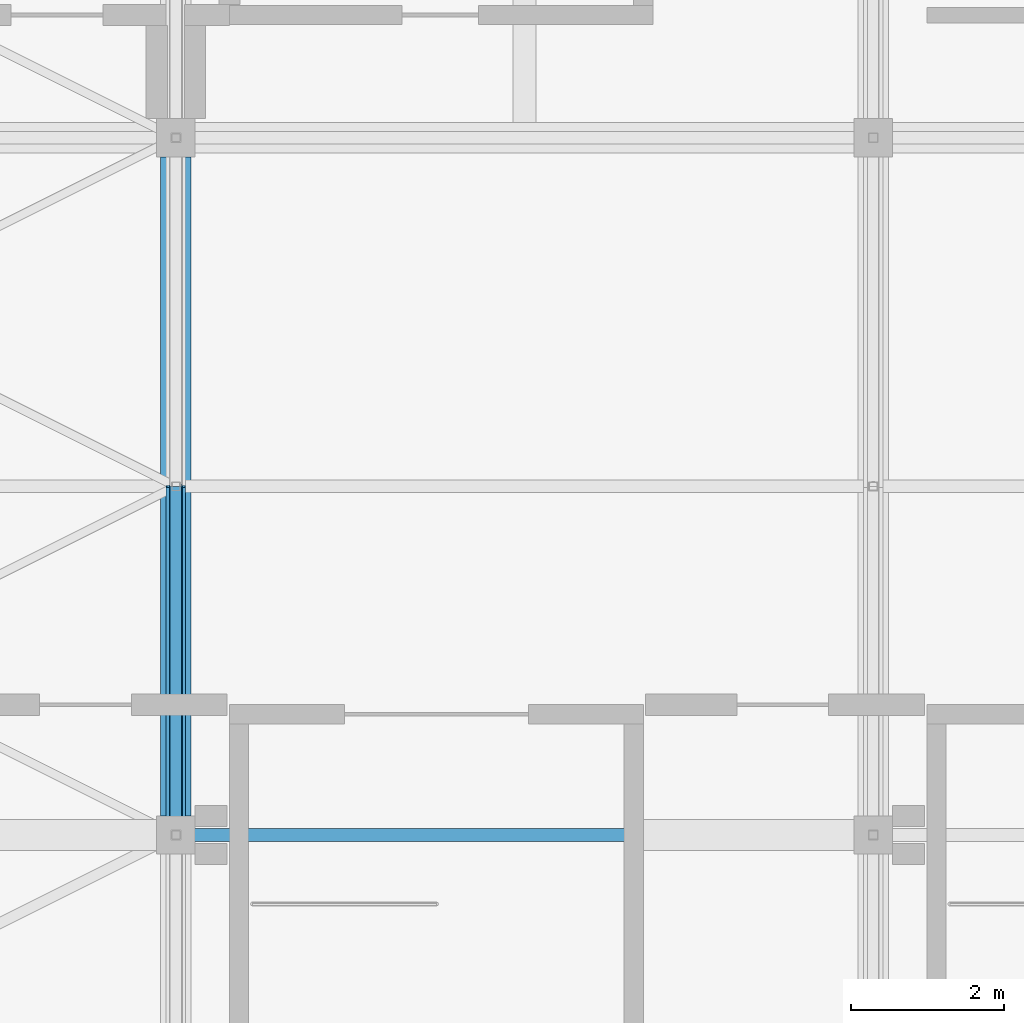
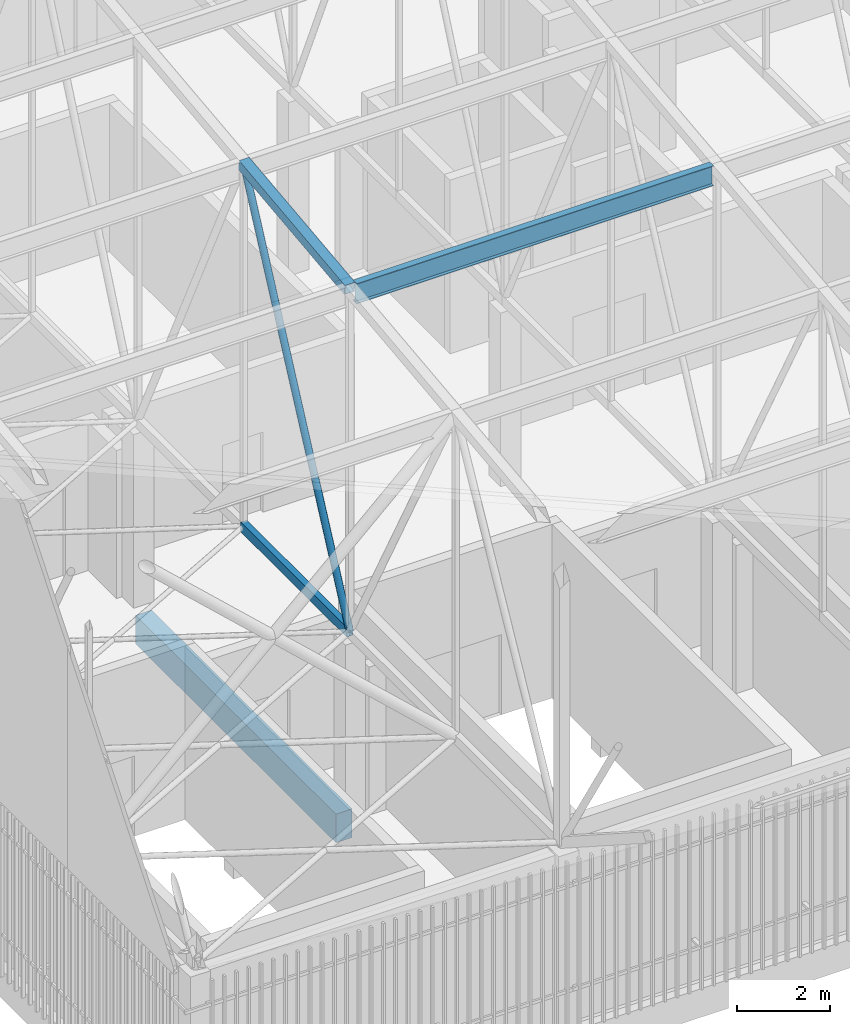
# One storey, part 18 of 500: 4 members, 1 beam.
"""IFC4 building model written with IfcOpenShell, lengths in metres."""

from ifc_helpers import new_model, si_unit, direction, frame, origin, origin_2d, place, context, subcontext, project, spatial, rectangle, hollow_rectangle, hollow_circle, i_section, extrude, material, material_profile, profile_set, type_object, element, save


model = new_model("IFC4")

# Units and contexts
model_context = context("Model", 3, precision=1e-05, world=origin(), true_north=direction((0.0, 1.0)))
body_context = subcontext(model_context, "Body", "Model", "MODEL_VIEW")
ifc_project = project(units=[si_unit("LENGTHUNIT", "METRE"), si_unit("AREAUNIT", "SQUARE_METRE"), si_unit("VOLUMEUNIT", "CUBIC_METRE"), si_unit("PLANEANGLEUNIT", "RADIAN"), si_unit("MASSUNIT", "GRAM", prefix="KILO")], contexts=[model_context])

# Site, building, storey
site_placement = place(None, origin())
site = spatial("IfcSite", under=ifc_project, at=site_placement, CompositionType="ELEMENT")
building_placement = place(site_placement, origin())
building = spatial("IfcBuilding", under=site, at=building_placement, Name="Shirokan Park Arena", CompositionType="ELEMENT")
storey_placement = place(building_placement, frame((0.0, 0.0, 29.1201171875)))
storey = spatial("IfcBuildingStorey", under=building, at=storey_placement, Name="L06", CompositionType="ELEMENT", Elevation=29.1201171875)

# Members
ifc_material_1 = material(Name="Steel ASTM A500 Grade C", Category="steel")
ifc_material_profile_1 = material_profile(ifc_material_1, hollow_rectangle(XDim=0.152099609375, YDim=0.25390625, WallThickness=0.009521484375, at=origin_2d()), Name="HSS254X152.4X9.5")
ifc_profile_set_1 = profile_set([ifc_material_profile_1], Name="Steel ASTM A500 Grade C")
member_type_1 = type_object("IfcMemberType", Name="Bottom chord HSS254X152.4X9.5", PredefinedType="CHORD", material=ifc_profile_set_1)
member_1_placement = place(storey_placement, frame((9.10009765625, 9.10009765625, 4.677001953125), z_axis=(0.0, 1.0, 0.0), x_axis=(-1.0, 0.0, 0.0)))
element("IfcMember", 1, at=member_1_placement, inside=storey, type_object=member_type_1, Name="Truss T02 bottom chord 5", PredefinedType="CHORD", context=body_context, shape_type="SweptSolid", body=[
    extrude(hollow_rectangle(XDim=0.152099609375, YDim=0.25390625, WallThickness=0.009521484375, at=origin_2d()), origin(), (0.0, 0.0, 1.0), 4.5498046875),
])
ifc_material_2 = material(Name="Steel ASTM A992", Category="steel")
ifc_material_profile_2 = material_profile(ifc_material_2, i_section(OverallWidth=0.166015625, OverallDepth=0.528076171875, WebThickness=0.009765625, FlangeThickness=0.013671875, at=origin_2d()), Name="W530X74")
ifc_profile_set_2 = profile_set([ifc_material_profile_2], Name="Steel ASTM A992")
member_type_2 = type_object("IfcMemberType", Name="Purlin W530X74", PredefinedType="PURLIN", material=ifc_profile_set_2)
member_2_placement = place(storey_placement, frame((9.22705078125, 9.10009765625, 13.52587890625), z_axis=(1.0, 0.0, 0.0), x_axis=(0.0, 1.0, 0.0)))
element("IfcMember", 2, at=member_2_placement, inside=storey, type_object=member_type_2, Name="Purlin 5 bay 2", PredefinedType="PURLIN", context=body_context, shape_type="SweptSolid", body=[
    extrude(i_section(OverallWidth=0.166015625, OverallDepth=0.528076171875, WebThickness=0.009765625, FlangeThickness=0.013671875, at=origin_2d()), origin(), (0.0, 0.0, 1.0), 8.845947265625),
])

# Beam
ifc_material_3 = material(Name="Concrete C35", Category="concrete")
ifc_material_profile_3 = material_profile(ifc_material_3, rectangle(XDim=0.39990234375, YDim=0.75, at=origin_2d()), Name="400x750")
ifc_profile_set_3 = profile_set([ifc_material_profile_3], Name="Concrete C35")
beam_type = type_object("IfcBeamType", Name="RC girder 400x750", PredefinedType="BEAM", material=ifc_profile_set_3)
beam_placement = place(storey_placement, frame((9.10009765625, 9.35009765625, -0.5751953125), z_axis=(0.0, 1.0, 0.0), x_axis=(-1.0, 0.0, 0.0)))
element("IfcBeam", 3, at=beam_placement, inside=storey, type_object=beam_type, Name="Girder 2B-2C L06", PredefinedType="BEAM", context=body_context, shape_type="SweptSolid", body=[
    extrude(rectangle(XDim=0.39990234375, YDim=0.75, at=origin_2d()), origin(), (0.0, 0.0, 1.0), 8.599853515625),
])

# Members
ifc_material_profile_4 = material_profile(ifc_material_1, hollow_rectangle(XDim=0.25390625, YDim=0.25390625, WallThickness=0.009521484375, at=origin_2d()), Name="HSS254X254X9.5")
ifc_profile_set_4 = profile_set([ifc_material_profile_4], Name="Steel ASTM A500 Grade C")
member_type_3 = type_object("IfcMemberType", Name="Top chord HSS254X254X9.5", PredefinedType="CHORD", material=ifc_profile_set_4)
member_3_placement = place(storey_placement, frame((9.10009765625, 9.10009765625, 13.662841796875), z_axis=(0.0, 0.993531641592, 0.11355561261), x_axis=(-1.0, 0.0, 0.0)))
element("IfcMember", 4, at=member_3_placement, inside=storey, type_object=member_type_3, Name="Truss T02 top chord 5", PredefinedType="CHORD", context=body_context, shape_type="SweptSolid", body=[
    extrude(hollow_rectangle(XDim=0.25390625, YDim=0.25390625, WallThickness=0.009521484375, at=origin_2d()), origin(), (0.0, 0.0, 1.0), 4.579345703125),
])
ifc_material_profile_5 = material_profile(ifc_material_1, hollow_circle(Radius=0.083984375, WallThickness=0.009521484375, at=origin_2d()), Name="HSS168.3X9.5")
ifc_profile_set_5 = profile_set([ifc_material_profile_5], Name="Steel ASTM A500 Grade C")
member_type_4 = type_object("IfcMemberType", Name="Truss diagonal HSS168.3X9.5", PredefinedType="BRACE", material=ifc_profile_set_5)
member_4_placement = place(storey_placement, frame((9.10009765625, 9.10009765625, 4.677001953125), z_axis=(0.0, 0.431727628527, 0.90200402148), x_axis=(-1.0, 0.0, 0.0)))
element("IfcMember", 5, at=member_4_placement, inside=storey, type_object=member_type_4, Name="Truss T02 diagonal 5", PredefinedType="BRACE", context=body_context, shape_type="SweptSolid", body=[
    extrude(hollow_circle(Radius=0.083984375, WallThickness=0.009521484375, at=origin_2d()), origin(), (0.0, 0.0, 1.0), 10.53857421875),
])

save(model, "model.ifc")
